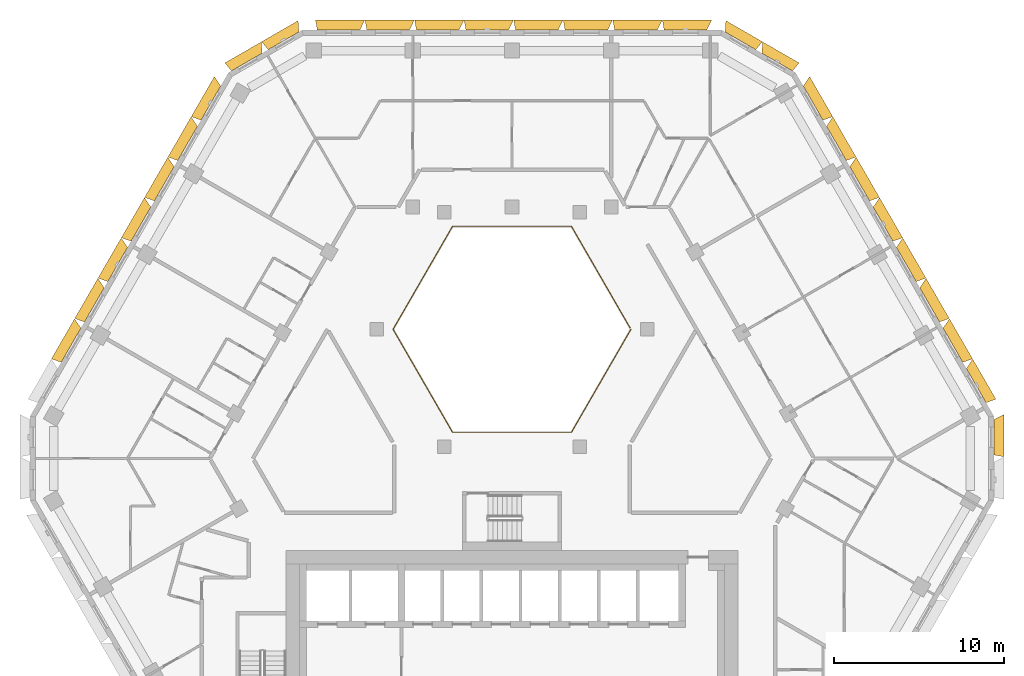
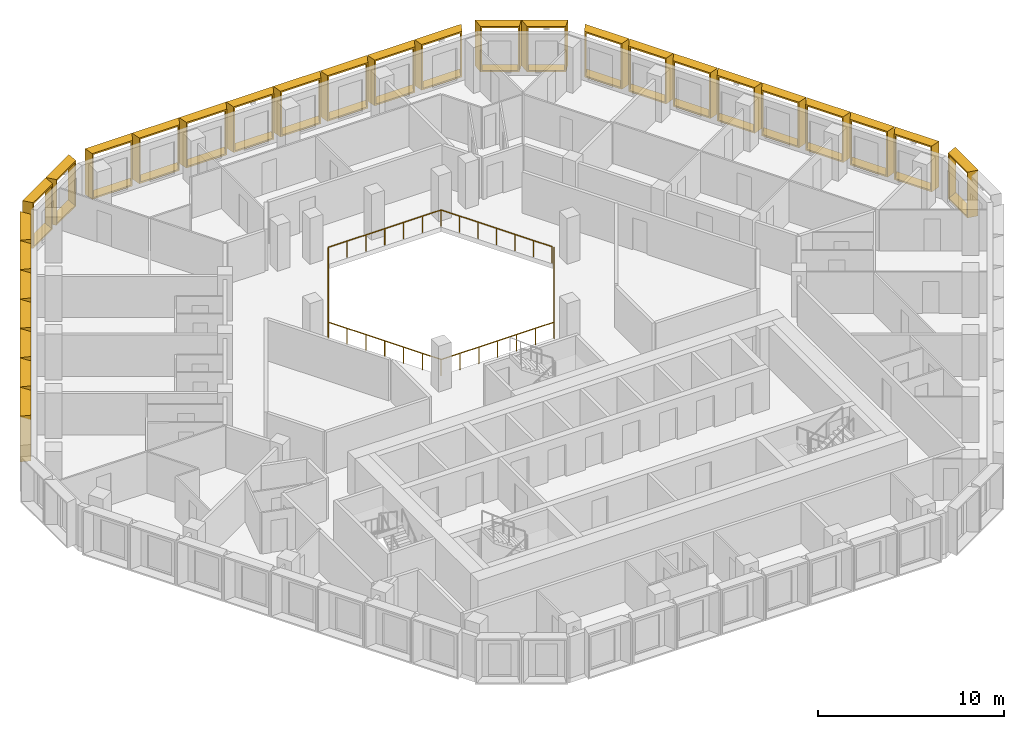
# One storey, part 17 of 17: 28 shading devices, 1 railing.
"""IFC4 building model written with IfcOpenShell, lengths in metres."""

from ifc_helpers import new_model, entity, si_unit, direction, frame, origin, origin_2d, place, context, subcontext, project, spatial, rectangle, extrude, source, transform, mapped, material, type_object, type_shapes, element, save


model = new_model("IFC4")

# Units and contexts
model_context = context("Model", 3, precision=1e-05, world=origin(), true_north=direction((0.0, 1.0)))
body_context = subcontext(model_context, "Body", "Model", "MODEL_VIEW")
ifc_project = project(units=[si_unit("LENGTHUNIT", "METRE"), si_unit("AREAUNIT", "SQUARE_METRE"), si_unit("VOLUMEUNIT", "CUBIC_METRE"), si_unit("PLANEANGLEUNIT", "RADIAN"), si_unit("MASSUNIT", "GRAM", prefix="KILO")], contexts=[model_context])

# Site, building, storey
site_placement = place(None, origin())
site = spatial("IfcSite", under=ifc_project, at=site_placement, CompositionType="ELEMENT")
building_placement = place(site_placement, origin())
building = spatial("IfcBuilding", under=site, at=building_placement, Name="Beryl Residences", CompositionType="ELEMENT")
storey_placement = place(building_placement, frame((0.0, 0.0, 120.60009765625)))
storey = spatial("IfcBuildingStorey", under=building, at=storey_placement, Name="L36", CompositionType="ELEMENT", Elevation=120.60009765625)

# Railing
ifc_material_1 = material(Name="Stainless steel balustrade with glass infill", Category="steel")
railing_type = type_object("IfcRailingType", Name="EG1 edge guard 1100 mm", PredefinedType="GUARDRAIL", material=ifc_material_1)
railing_placement = place(storey_placement, frame((6.9970703125, 8.0, 0.0)))
element("IfcRailing", 1, at=railing_placement, inside=storey, type_object=railing_type, Name="L36 atrium guard", PredefinedType="GUARDRAIL", context=body_context, shape_type="SweptSolid", body=[
    extrude(rectangle(XDim=0.048095703125, YDim=0.048095703125, at=origin_2d()), frame((0.0, 0.0, 1.076171875), z_axis=(-0.499921796684, -0.866070549782, 0.0), x_axis=(0.866070549782, -0.499921796684, 0.0)), (0.0, 0.0, 1.0), 6.9970703125),
    extrude(rectangle(XDim=0.048095703125, YDim=0.048095703125, at=origin_2d()), frame((-3.498046875, -6.06005859375, 1.076171875), z_axis=(-1.0, 0.0, 0.0), x_axis=(0.0, -1.0, 0.0)), (0.0, 0.0, 1.0), 6.998046875),
    extrude(rectangle(XDim=0.048095703125, YDim=0.048095703125, at=origin_2d()), frame((-10.49609375, -6.06005859375, 1.076171875), z_axis=(-0.499921796684, 0.866070549782, 0.0), x_axis=(-0.866070549782, -0.499921796684, 0.0)), (0.0, 0.0, 1.0), 6.9970703125),
    extrude(rectangle(XDim=0.048095703125, YDim=0.048095703125, at=origin_2d()), frame((-13.994140625, 0.0, 1.076171875), z_axis=(0.499921796684, 0.866070549782, 0.0), x_axis=(-0.866070549782, 0.499921796684, 0.0)), (0.0, 0.0, 1.0), 6.9970703125),
    extrude(rectangle(XDim=0.048095703125, YDim=0.048095703125, at=origin_2d()), frame((-10.49609375, 6.06005859375, 1.076171875), z_axis=(1.0, 0.0, 0.0), x_axis=(0.0, 1.0, 0.0)), (0.0, 0.0, 1.0), 6.998046875),
    extrude(rectangle(XDim=0.048095703125, YDim=0.048095703125, at=origin_2d()), frame((-3.498046875, 6.06005859375, 1.076171875), z_axis=(0.499919131929, -0.866072087953, 0.0), x_axis=(0.866072087953, 0.499919131929, 0.0)), (0.0, 0.0, 1.0), 6.877197265625),
    extrude(rectangle(XDim=0.0419921875, YDim=0.0419921875, at=origin_2d()), origin(), (0.0, 0.0, 1.0), 1.052001953125),
    extrude(rectangle(XDim=0.0419921875, YDim=0.0419921875, at=origin_2d()), frame((-0.5830078125, -1.010009765625, 0.0)), (0.0, 0.0, 1.0), 1.052001953125),
    extrude(rectangle(XDim=0.0419921875, YDim=0.0419921875, at=origin_2d()), frame((-1.166015625, -2.02001953125, 0.0)), (0.0, 0.0, 1.0), 1.052001953125),
    extrude(rectangle(XDim=0.0419921875, YDim=0.0419921875, at=origin_2d()), frame((-1.7490234375, -3.030029296875, 0.0)), (0.0, 0.0, 1.0), 1.052001953125),
    extrude(rectangle(XDim=0.0419921875, YDim=0.0419921875, at=origin_2d()), frame((-2.33203125, -4.0400390625, 0.0)), (0.0, 0.0, 1.0), 1.052001953125),
    extrude(rectangle(XDim=0.0419921875, YDim=0.0419921875, at=origin_2d()), frame((-2.9150390625, -5.050048828125, 0.0)), (0.0, 0.0, 1.0), 1.052001953125),
    extrude(rectangle(XDim=0.0419921875, YDim=0.0419921875, at=origin_2d()), frame((-3.498046875, -6.06005859375, 0.0)), (0.0, 0.0, 1.0), 1.052001953125),
    extrude(rectangle(XDim=0.0419921875, YDim=0.0419921875, at=origin_2d()), frame((-4.664306640625, -6.06005859375, 0.0)), (0.0, 0.0, 1.0), 1.052001953125),
    extrude(rectangle(XDim=0.0419921875, YDim=0.0419921875, at=origin_2d()), frame((-5.830810546875, -6.06005859375, 0.0)), (0.0, 0.0, 1.0), 1.052001953125),
    extrude(rectangle(XDim=0.0419921875, YDim=0.0419921875, at=origin_2d()), frame((-6.9970703125, -6.06005859375, 0.0)), (0.0, 0.0, 1.0), 1.052001953125),
    extrude(rectangle(XDim=0.0419921875, YDim=0.0419921875, at=origin_2d()), frame((-8.163330078125, -6.06005859375, 0.0)), (0.0, 0.0, 1.0), 1.052001953125),
    extrude(rectangle(XDim=0.0419921875, YDim=0.0419921875, at=origin_2d()), frame((-9.329833984375, -6.06005859375, 0.0)), (0.0, 0.0, 1.0), 1.052001953125),
    extrude(rectangle(XDim=0.0419921875, YDim=0.0419921875, at=origin_2d()), frame((-10.49609375, -6.06005859375, 0.0)), (0.0, 0.0, 1.0), 1.052001953125),
    extrude(rectangle(XDim=0.0419921875, YDim=0.0419921875, at=origin_2d()), frame((-11.0791015625, -5.050048828125, 0.0)), (0.0, 0.0, 1.0), 1.052001953125),
    extrude(rectangle(XDim=0.0419921875, YDim=0.0419921875, at=origin_2d()), frame((-11.662109375, -4.0400390625, 0.0)), (0.0, 0.0, 1.0), 1.052001953125),
    extrude(rectangle(XDim=0.0419921875, YDim=0.0419921875, at=origin_2d()), frame((-12.2451171875, -3.030029296875, 0.0)), (0.0, 0.0, 1.0), 1.052001953125),
    extrude(rectangle(XDim=0.0419921875, YDim=0.0419921875, at=origin_2d()), frame((-12.828125, -2.02001953125, 0.0)), (0.0, 0.0, 1.0), 1.052001953125),
    extrude(rectangle(XDim=0.0419921875, YDim=0.0419921875, at=origin_2d()), frame((-13.4111328125, -1.010009765625, 0.0)), (0.0, 0.0, 1.0), 1.052001953125),
    extrude(rectangle(XDim=0.0419921875, YDim=0.0419921875, at=origin_2d()), frame((-13.994140625, 0.0, 0.0)), (0.0, 0.0, 1.0), 1.052001953125),
    extrude(rectangle(XDim=0.0419921875, YDim=0.0419921875, at=origin_2d()), frame((-13.4111328125, 1.010009765625, 0.0)), (0.0, 0.0, 1.0), 1.052001953125),
    extrude(rectangle(XDim=0.0419921875, YDim=0.0419921875, at=origin_2d()), frame((-12.828125, 2.02001953125, 0.0)), (0.0, 0.0, 1.0), 1.052001953125),
    extrude(rectangle(XDim=0.0419921875, YDim=0.0419921875, at=origin_2d()), frame((-12.2451171875, 3.030029296875, 0.0)), (0.0, 0.0, 1.0), 1.052001953125),
    extrude(rectangle(XDim=0.0419921875, YDim=0.0419921875, at=origin_2d()), frame((-11.662109375, 4.0400390625, 0.0)), (0.0, 0.0, 1.0), 1.052001953125),
    extrude(rectangle(XDim=0.0419921875, YDim=0.0419921875, at=origin_2d()), frame((-11.0791015625, 5.050048828125, 0.0)), (0.0, 0.0, 1.0), 1.052001953125),
    extrude(rectangle(XDim=0.0419921875, YDim=0.0419921875, at=origin_2d()), frame((-10.49609375, 6.06005859375, 0.0)), (0.0, 0.0, 1.0), 1.052001953125),
    extrude(rectangle(XDim=0.0419921875, YDim=0.0419921875, at=origin_2d()), frame((-9.329833984375, 6.06005859375, 0.0)), (0.0, 0.0, 1.0), 1.052001953125),
    extrude(rectangle(XDim=0.0419921875, YDim=0.0419921875, at=origin_2d()), frame((-8.163330078125, 6.06005859375, 0.0)), (0.0, 0.0, 1.0), 1.052001953125),
    extrude(rectangle(XDim=0.0419921875, YDim=0.0419921875, at=origin_2d()), frame((-6.9970703125, 6.06005859375, 0.0)), (0.0, 0.0, 1.0), 1.052001953125),
    extrude(rectangle(XDim=0.0419921875, YDim=0.0419921875, at=origin_2d()), frame((-5.830810546875, 6.06005859375, 0.0)), (0.0, 0.0, 1.0), 1.052001953125),
    extrude(rectangle(XDim=0.0419921875, YDim=0.0419921875, at=origin_2d()), frame((-4.664306640625, 6.06005859375, 0.0)), (0.0, 0.0, 1.0), 1.052001953125),
    extrude(rectangle(XDim=0.0419921875, YDim=0.0419921875, at=origin_2d()), frame((-3.498046875, 6.06005859375, 0.0)), (0.0, 0.0, 1.0), 1.052001953125),
    extrude(rectangle(XDim=0.0419921875, YDim=0.0419921875, at=origin_2d()), frame((-2.925048828125, 5.0673828125, 0.0)), (0.0, 0.0, 1.0), 1.052001953125),
    extrude(rectangle(XDim=0.0419921875, YDim=0.0419921875, at=origin_2d()), frame((-2.35205078125, 4.07470703125, 0.0)), (0.0, 0.0, 1.0), 1.052001953125),
    extrude(rectangle(XDim=0.0419921875, YDim=0.0419921875, at=origin_2d()), frame((-1.779052734375, 3.08203125, 0.0)), (0.0, 0.0, 1.0), 1.052001953125),
    extrude(rectangle(XDim=0.0419921875, YDim=0.0419921875, at=origin_2d()), frame((-1.2060546875, 2.08935546875, 0.0)), (0.0, 0.0, 1.0), 1.052001953125),
    extrude(rectangle(XDim=0.0419921875, YDim=0.0419921875, at=origin_2d()), frame((-0.633056640625, 1.0966796875, 0.0)), (0.0, 0.0, 1.0), 1.052001953125),
    extrude(rectangle(XDim=0.0419921875, YDim=0.0419921875, at=origin_2d()), frame((-0.06005859375, 0.10400390625, 0.0)), (0.0, 0.0, 1.0), 1.052001953125),
])

# Shading devices
ifc_material_2 = material(Name="Aluminium pale anodised", Category="aluminium")
shading_device_type_1 = type_object("IfcShadingDeviceType", Name="FR250-60B OUTER SKIN frame 600 mm deep, splay 26/10 deg, 2500 x 3000 mm cell", PredefinedType="USERDEFINED", material=ifc_material_2)
cartesian_point_1 = entity("IfcCartesianPoint", [-1.04052734375, 0.0])
cartesian_point_2 = entity("IfcCartesianPoint", [-0.951416015625, 0.10009765625])
cartesian_point_3 = entity("IfcCartesianPoint", [-1.333251953125, 0.0])
cartesian_point_4 = entity("IfcCartesianPoint", [-1.244140625, 0.10009765625])
shared_shape_1 = source(origin(), body_context, "Body", "SweptSolid", [
    entity("IfcExtrudedAreaSolidTapered", entity("IfcArbitraryProfileDefWithVoids", "AREA", None, entity("IfcPolyline", [cartesian_point_1, entity("IfcCartesianPoint", [1.04052734375, 0.0]), entity("IfcCartesianPoint", [1.04052734375, 3.0]), entity("IfcCartesianPoint", [-1.04052734375, 3.0]), cartesian_point_1]), [entity("IfcPolyline", [cartesian_point_2, entity("IfcCartesianPoint", [0.959228515625, 0.10009765625]), entity("IfcCartesianPoint", [0.959228515625, 2.89990234375]), entity("IfcCartesianPoint", [-0.951416015625, 2.89990234375]), cartesian_point_2])]), entity("IfcAxis2Placement3D", entity("IfcCartesianPoint", [0.0, 0.0, 0.0]), entity("IfcDirection", [0.0, 1.0, 0.0]), entity("IfcDirection", [-1.0, 0.0, 0.0])), entity("IfcDirection", [0.0, 0.0, 1.0]), 0.60009765625, entity("IfcArbitraryProfileDefWithVoids", "AREA", None, entity("IfcPolyline", [cartesian_point_3, entity("IfcCartesianPoint", [1.146240234375, 0.0]), entity("IfcCartesianPoint", [1.146240234375, 3.0]), entity("IfcCartesianPoint", [-1.333251953125, 3.0]), cartesian_point_3]), [entity("IfcPolyline", [cartesian_point_4, entity("IfcCartesianPoint", [1.06494140625, 0.10009765625]), entity("IfcCartesianPoint", [1.06494140625, 2.89990234375]), entity("IfcCartesianPoint", [-1.244140625, 2.89990234375]), cartesian_point_4])])),
])
type_shapes(shading_device_type_1, [shared_shape_1])
for number, where, z_axis, x_axis, name in (
    (2, (-13.43798828125, 24.97509765625, 0.0), (0.0, 0.0, 1.0), (0.866025403784, 0.5, 0.0), "FR250-60B frame L36 N-NW 1"),
    (3, (-15.60205078125, 23.72509765625, 0.0), (0.0, 0.0, 1.0), (0.866025403784, 0.5, 0.0), "FR250-60B frame L36 N-NW 2"),
):
    element("IfcShadingDevice", number, at=place(storey_placement, frame(where, z_axis=z_axis, x_axis=x_axis)), inside=storey, type_object=shading_device_type_1, Name=name, ObjectType="OUTER SKIN", PredefinedType="USERDEFINED", context=body_context, shape_type="MappedRepresentation", body=[
        mapped(shared_shape_1, transform((0.0, 0.0, 0.0))),
    ])
ifc_material_3 = material(Name="Aluminium pale anodised", Category="aluminium")
shading_device_type_2 = type_object("IfcShadingDeviceType", Name="FR250-60C OUTER SKIN frame 600 mm deep, splay 10/26 deg, 2500 x 3000 mm cell", PredefinedType="USERDEFINED", material=ifc_material_3)
cartesian_point_5 = entity("IfcCartesianPoint", [-1.04052734375, 0.0])
cartesian_point_6 = entity("IfcCartesianPoint", [-0.959228515625, 0.10009765625])
cartesian_point_7 = entity("IfcCartesianPoint", [-1.146240234375, 0.0])
cartesian_point_8 = entity("IfcCartesianPoint", [-1.06494140625, 0.10009765625])
shared_shape_2 = source(origin(), body_context, "Body", "SweptSolid", [
    entity("IfcExtrudedAreaSolidTapered", entity("IfcArbitraryProfileDefWithVoids", "AREA", None, entity("IfcPolyline", [cartesian_point_5, entity("IfcCartesianPoint", [1.04052734375, 0.0]), entity("IfcCartesianPoint", [1.04052734375, 3.0]), entity("IfcCartesianPoint", [-1.04052734375, 3.0]), cartesian_point_5]), [entity("IfcPolyline", [cartesian_point_6, entity("IfcCartesianPoint", [0.951416015625, 0.10009765625]), entity("IfcCartesianPoint", [0.951416015625, 2.89990234375]), entity("IfcCartesianPoint", [-0.959228515625, 2.89990234375]), cartesian_point_6])]), entity("IfcAxis2Placement3D", entity("IfcCartesianPoint", [0.0, 0.0, 0.0]), entity("IfcDirection", [0.0, 1.0, 0.0]), entity("IfcDirection", [-1.0, 0.0, 0.0])), entity("IfcDirection", [0.0, 0.0, 1.0]), 0.60009765625, entity("IfcArbitraryProfileDefWithVoids", "AREA", None, entity("IfcPolyline", [cartesian_point_7, entity("IfcCartesianPoint", [1.333251953125, 0.0]), entity("IfcCartesianPoint", [1.333251953125, 3.0]), entity("IfcCartesianPoint", [-1.146240234375, 3.0]), cartesian_point_7]), [entity("IfcPolyline", [cartesian_point_8, entity("IfcCartesianPoint", [1.244140625, 0.10009765625]), entity("IfcCartesianPoint", [1.244140625, 2.89990234375]), entity("IfcCartesianPoint", [-1.06494140625, 2.89990234375]), cartesian_point_8])])),
])
type_shapes(shading_device_type_2, [shared_shape_2])
for number, where, z_axis, x_axis, name in (
    (4, (28.347900390625, 1.64990234375, 0.0), (0.0, 0.0, 1.0), (0.0, -1.0, 0.0), "FR250-60C frame L36 SE-NE 2"),
    (5, (15.60205078125, 23.72509765625, 0.0), (0.0, 0.0, 1.0), (0.866025403784, -0.5, 0.0), "FR250-60C frame L36 NE-N 1"),
    (6, (13.43798828125, 24.97509765625, 0.0), (0.0, 0.0, 1.0), (0.866025403784, -0.5, 0.0), "FR250-60C frame L36 NE-N 2"),
):
    element("IfcShadingDevice", number, at=place(storey_placement, frame(where, z_axis=z_axis, x_axis=x_axis)), inside=storey, type_object=shading_device_type_2, Name=name, ObjectType="OUTER SKIN", PredefinedType="USERDEFINED", context=body_context, shape_type="MappedRepresentation", body=[
        mapped(shared_shape_2, transform((0.0, 0.0, 0.0))),
    ])
ifc_material_4 = material(Name="Aluminium pale anodised", Category="aluminium")
shading_device_type_3 = type_object("IfcShadingDeviceType", Name="FR274-60B OUTER SKIN frame 600 mm deep, splay 26/10 deg, 2740 x 3000 mm cell", PredefinedType="USERDEFINED", material=ifc_material_4)
cartesian_point_9 = entity("IfcCartesianPoint", [-1.160400390625, 0.0])
cartesian_point_10 = entity("IfcCartesianPoint", [-1.071533203125, 0.10009765625])
cartesian_point_11 = entity("IfcCartesianPoint", [-1.453125, 0.0])
cartesian_point_12 = entity("IfcCartesianPoint", [-1.364013671875, 0.10009765625])
shared_shape_3 = source(origin(), body_context, "Body", "SweptSolid", [
    entity("IfcExtrudedAreaSolidTapered", entity("IfcArbitraryProfileDefWithVoids", "AREA", None, entity("IfcPolyline", [cartesian_point_9, entity("IfcCartesianPoint", [1.160400390625, 0.0]), entity("IfcCartesianPoint", [1.160400390625, 3.0]), entity("IfcCartesianPoint", [-1.160400390625, 3.0]), cartesian_point_9]), [entity("IfcPolyline", [cartesian_point_10, entity("IfcCartesianPoint", [1.079345703125, 0.10009765625]), entity("IfcCartesianPoint", [1.079345703125, 2.89990234375]), entity("IfcCartesianPoint", [-1.071533203125, 2.89990234375]), cartesian_point_10])]), entity("IfcAxis2Placement3D", entity("IfcCartesianPoint", [0.0, 0.0, 0.0]), entity("IfcDirection", [0.0, 1.0, 0.0]), entity("IfcDirection", [-1.0, 0.0, 0.0])), entity("IfcDirection", [0.0, 0.0, 1.0]), 0.60009765625, entity("IfcArbitraryProfileDefWithVoids", "AREA", None, entity("IfcPolyline", [cartesian_point_11, entity("IfcCartesianPoint", [1.266357421875, 0.0]), entity("IfcCartesianPoint", [1.266357421875, 3.0]), entity("IfcCartesianPoint", [-1.453125, 3.0]), cartesian_point_11]), [entity("IfcPolyline", [cartesian_point_12, entity("IfcCartesianPoint", [1.18505859375, 0.10009765625]), entity("IfcCartesianPoint", [1.18505859375, 2.89990234375]), entity("IfcCartesianPoint", [-1.364013671875, 2.89990234375]), cartesian_point_12])])),
])
type_shapes(shading_device_type_3, [shared_shape_3])
for number, where, z_axis, x_axis, name in (
    (7, (-17.718017578125, 21.31298828125, 0.0), (0.0, 0.0, 1.0), (0.5, 0.866025403784, 0.0), "FR274-60B frame L36 NW 1"),
    (8, (-19.089111328125, 18.93798828125, 0.0), (0.0, 0.0, 1.0), (0.5, 0.866025403784, 0.0), "FR274-60B frame L36 NW 2"),
    (9, (-20.4599609375, 16.56298828125, 0.0), (0.0, 0.0, 1.0), (0.5, 0.866025403784, 0.0), "FR274-60B frame L36 NW 3"),
    (10, (-21.8310546875, 14.18798828125, 0.0), (0.0, 0.0, 1.0), (0.5, 0.866025403784, 0.0), "FR274-60B frame L36 NW 4"),
    (11, (-23.202880859375, 11.81201171875, 0.0), (0.0, 0.0, 1.0), (0.5, 0.866025403784, 0.0), "FR274-60B frame L36 NW 5"),
    (12, (-24.573974609375, 9.43701171875, 0.0), (0.0, 0.0, 1.0), (0.5, 0.866025403784, 0.0), "FR274-60B frame L36 NW 6"),
    (13, (-25.945068359375, 7.06201171875, 0.0), (0.0, 0.0, 1.0), (0.5, 0.866025403784, 0.0), "FR274-60B frame L36 NW 7"),
):
    element("IfcShadingDevice", number, at=place(storey_placement, frame(where, z_axis=z_axis, x_axis=x_axis)), inside=storey, type_object=shading_device_type_3, Name=name, ObjectType="OUTER SKIN", PredefinedType="USERDEFINED", context=body_context, shape_type="MappedRepresentation", body=[
        mapped(shared_shape_3, transform((0.0, 0.0, 0.0))),
    ])
ifc_material_5 = material(Name="Aluminium pale anodised", Category="aluminium")
shading_device_type_4 = type_object("IfcShadingDeviceType", Name="FR274-60C OUTER SKIN frame 600 mm deep, splay 10/26 deg, 2740 x 3000 mm cell", PredefinedType="USERDEFINED", material=ifc_material_5)
cartesian_point_13 = entity("IfcCartesianPoint", [-1.160400390625, 0.0])
cartesian_point_14 = entity("IfcCartesianPoint", [-1.079345703125, 0.10009765625])
cartesian_point_15 = entity("IfcCartesianPoint", [-1.266357421875, 0.0])
cartesian_point_16 = entity("IfcCartesianPoint", [-1.18505859375, 0.10009765625])
shared_shape_4 = source(origin(), body_context, "Body", "SweptSolid", [
    entity("IfcExtrudedAreaSolidTapered", entity("IfcArbitraryProfileDefWithVoids", "AREA", None, entity("IfcPolyline", [cartesian_point_13, entity("IfcCartesianPoint", [1.160400390625, 0.0]), entity("IfcCartesianPoint", [1.160400390625, 3.0]), entity("IfcCartesianPoint", [-1.160400390625, 3.0]), cartesian_point_13]), [entity("IfcPolyline", [cartesian_point_14, entity("IfcCartesianPoint", [1.071533203125, 0.10009765625]), entity("IfcCartesianPoint", [1.071533203125, 2.89990234375]), entity("IfcCartesianPoint", [-1.079345703125, 2.89990234375]), cartesian_point_14])]), entity("IfcAxis2Placement3D", entity("IfcCartesianPoint", [0.0, 0.0, 0.0]), entity("IfcDirection", [0.0, 1.0, 0.0]), entity("IfcDirection", [-1.0, 0.0, 0.0])), entity("IfcDirection", [0.0, 0.0, 1.0]), 0.60009765625, entity("IfcArbitraryProfileDefWithVoids", "AREA", None, entity("IfcPolyline", [cartesian_point_15, entity("IfcCartesianPoint", [1.453125, 0.0]), entity("IfcCartesianPoint", [1.453125, 3.0]), entity("IfcCartesianPoint", [-1.266357421875, 3.0]), cartesian_point_15]), [entity("IfcPolyline", [cartesian_point_16, entity("IfcCartesianPoint", [1.364013671875, 0.10009765625]), entity("IfcCartesianPoint", [1.364013671875, 2.89990234375]), entity("IfcCartesianPoint", [-1.18505859375, 2.89990234375]), cartesian_point_16])])),
])
type_shapes(shading_device_type_4, [shared_shape_4])
for number, where, z_axis, x_axis, name in (
    (14, (27.31591796875, 4.68701171875, 0.0), (0.0, 0.0, 1.0), (0.5, -0.866025403784, 0.0), "FR274-60C frame L36 NE 1"),
    (15, (25.945068359375, 7.06201171875, 0.0), (0.0, 0.0, 1.0), (0.5, -0.866025403784, 0.0), "FR274-60C frame L36 NE 2"),
    (16, (24.573974609375, 9.43701171875, 0.0), (0.0, 0.0, 1.0), (0.5, -0.866025403784, 0.0), "FR274-60C frame L36 NE 3"),
    (17, (23.202880859375, 11.81201171875, 0.0), (0.0, 0.0, 1.0), (0.5, -0.866025403784, 0.0), "FR274-60C frame L36 NE 4"),
    (18, (21.8310546875, 14.18798828125, 0.0), (0.0, 0.0, 1.0), (0.5, -0.866025403784, 0.0), "FR274-60C frame L36 NE 5"),
    (19, (20.4599609375, 16.56298828125, 0.0), (0.0, 0.0, 1.0), (0.5, -0.866025403784, 0.0), "FR274-60C frame L36 NE 6"),
    (20, (19.089111328125, 18.93798828125, 0.0), (0.0, 0.0, 1.0), (0.5, -0.866025403784, 0.0), "FR274-60C frame L36 NE 7"),
    (21, (17.718017578125, 21.31298828125, 0.0), (0.0, 0.0, 1.0), (0.5, -0.866025403784, 0.0), "FR274-60C frame L36 NE 8"),
):
    element("IfcShadingDevice", number, at=place(storey_placement, frame(where, z_axis=z_axis, x_axis=x_axis)), inside=storey, type_object=shading_device_type_4, Name=name, ObjectType="OUTER SKIN", PredefinedType="USERDEFINED", context=body_context, shape_type="MappedRepresentation", body=[
        mapped(shared_shape_4, transform((0.0, 0.0, 0.0))),
    ])
ifc_material_6 = material(Name="Aluminium pale anodised", Category="aluminium")
shading_device_type_5 = type_object("IfcShadingDeviceType", Name="FR292-60B OUTER SKIN frame 600 mm deep, splay 26/10 deg, 2920 x 3000 mm cell", PredefinedType="USERDEFINED", material=ifc_material_6)
cartesian_point_17 = entity("IfcCartesianPoint", [-1.25048828125, 0.0])
cartesian_point_18 = entity("IfcCartesianPoint", [-1.161376953125, 0.10009765625])
cartesian_point_19 = entity("IfcCartesianPoint", [-1.543212890625, 0.0])
cartesian_point_20 = entity("IfcCartesianPoint", [-1.4541015625, 0.10009765625])
shared_shape_5 = source(origin(), body_context, "Body", "SweptSolid", [
    entity("IfcExtrudedAreaSolidTapered", entity("IfcArbitraryProfileDefWithVoids", "AREA", None, entity("IfcPolyline", [cartesian_point_17, entity("IfcCartesianPoint", [1.25048828125, 0.0]), entity("IfcCartesianPoint", [1.25048828125, 3.0]), entity("IfcCartesianPoint", [-1.25048828125, 3.0]), cartesian_point_17]), [entity("IfcPolyline", [cartesian_point_18, entity("IfcCartesianPoint", [1.169189453125, 0.10009765625]), entity("IfcCartesianPoint", [1.169189453125, 2.89990234375]), entity("IfcCartesianPoint", [-1.161376953125, 2.89990234375]), cartesian_point_18])]), entity("IfcAxis2Placement3D", entity("IfcCartesianPoint", [0.0, 0.0, 0.0]), entity("IfcDirection", [0.0, 1.0, 0.0]), entity("IfcDirection", [-1.0, 0.0, 0.0])), entity("IfcDirection", [0.0, 0.0, 1.0]), 0.60009765625, entity("IfcArbitraryProfileDefWithVoids", "AREA", None, entity("IfcPolyline", [cartesian_point_19, entity("IfcCartesianPoint", [1.356201171875, 0.0]), entity("IfcCartesianPoint", [1.356201171875, 3.0]), entity("IfcCartesianPoint", [-1.543212890625, 3.0]), cartesian_point_19]), [entity("IfcPolyline", [cartesian_point_20, entity("IfcCartesianPoint", [1.275146484375, 0.10009765625]), entity("IfcCartesianPoint", [1.275146484375, 2.89990234375]), entity("IfcCartesianPoint", [-1.4541015625, 2.89990234375]), cartesian_point_20])])),
])
type_shapes(shading_device_type_5, [shared_shape_5])
for number, where, z_axis, x_axis, name in (
    (22, (10.2041015625, 25.60009765625, 0.0), (0.0, 0.0, 1.0), (1.0, 0.0, 0.0), "FR292-60B frame L36 N 1"),
    (23, (7.2890625, 25.60009765625, 0.0), (0.0, 0.0, 1.0), (1.0, 0.0, 0.0), "FR292-60B frame L36 N 2"),
    (24, (4.373046875, 25.60009765625, 0.0), (0.0, 0.0, 1.0), (1.0, 0.0, 0.0), "FR292-60B frame L36 N 3"),
    (25, (1.4580078125, 25.60009765625, 0.0), (0.0, 0.0, 1.0), (1.0, 0.0, 0.0), "FR292-60B frame L36 N 4"),
    (26, (-1.4580078125, 25.60009765625, 0.0), (0.0, 0.0, 1.0), (1.0, 0.0, 0.0), "FR292-60B frame L36 N 5"),
    (27, (-4.373046875, 25.60009765625, 0.0), (0.0, 0.0, 1.0), (1.0, 0.0, 0.0), "FR292-60B frame L36 N 6"),
    (28, (-7.2890625, 25.60009765625, 0.0), (0.0, 0.0, 1.0), (1.0, 0.0, 0.0), "FR292-60B frame L36 N 7"),
    (29, (-10.2041015625, 25.60009765625, 0.0), (0.0, 0.0, 1.0), (1.0, 0.0, 0.0), "FR292-60B frame L36 N 8"),
):
    element("IfcShadingDevice", number, at=place(storey_placement, frame(where, z_axis=z_axis, x_axis=x_axis)), inside=storey, type_object=shading_device_type_5, Name=name, ObjectType="OUTER SKIN", PredefinedType="USERDEFINED", context=body_context, shape_type="MappedRepresentation", body=[
        mapped(shared_shape_5, transform((0.0, 0.0, 0.0))),
    ])

save(model, "model.ifc")
